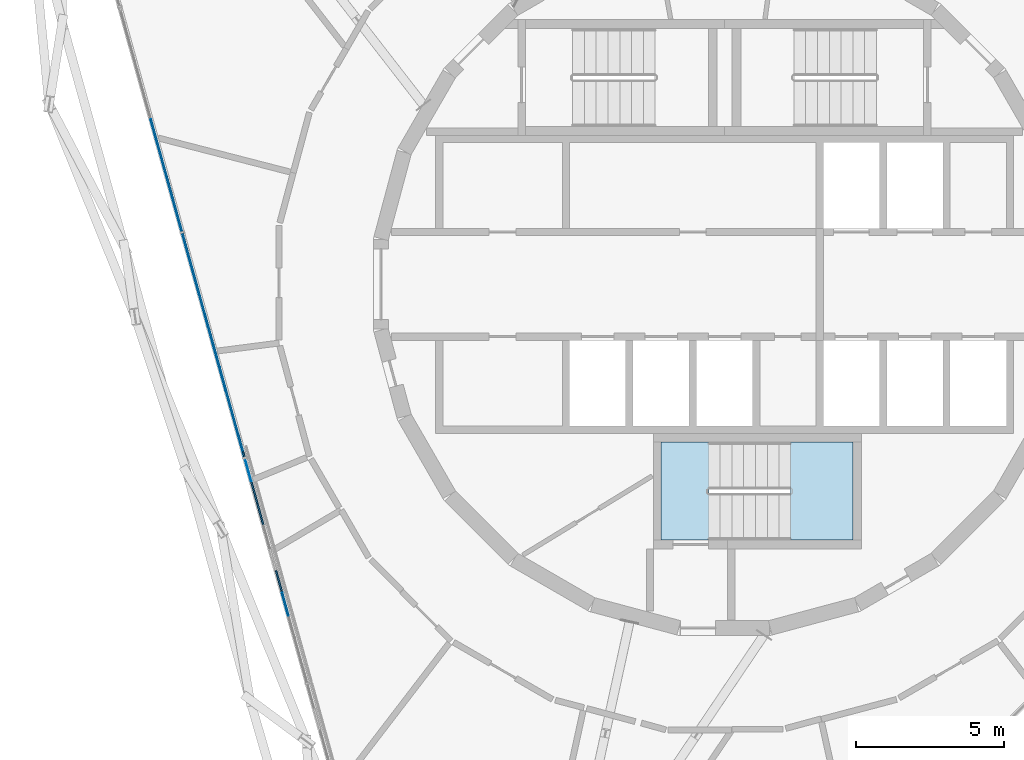
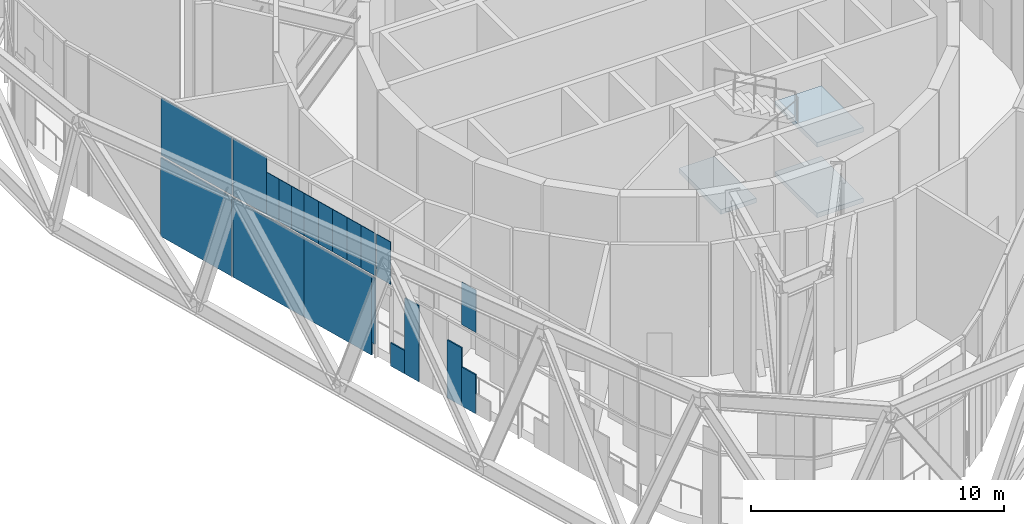
# One storey, part 9 of 23: 20 plates, 3 slabs, 2 elements without a shape of their own.
"""IFC4 building model written with IfcOpenShell, lengths in metres."""

from ifc_helpers import new_model, si_unit, direction, frame, origin, origin_2d, place, context, subcontext, project, spatial, polyline, rectangle, outline, extrude, material, layer, layer_set, type_object, element, aggregate, save


model = new_model("IFC4")

# Units and contexts
model_context = context("Model", 3, precision=1e-05, world=origin(), true_north=direction((0.0, 1.0)))
body_context = subcontext(model_context, "Body", "Model", "MODEL_VIEW")
ifc_project = project(units=[si_unit("LENGTHUNIT", "METRE"), si_unit("AREAUNIT", "SQUARE_METRE"), si_unit("VOLUMEUNIT", "CUBIC_METRE"), si_unit("PLANEANGLEUNIT", "RADIAN"), si_unit("MASSUNIT", "GRAM", prefix="KILO")], contexts=[model_context])

# Site, building, storey
site_placement = place(None, origin())
site = spatial("IfcSite", under=ifc_project, at=site_placement, CompositionType="ELEMENT")
building_placement = place(site_placement, origin())
building = spatial("IfcBuilding", under=site, at=building_placement, Name="Spindle Arch Residences", CompositionType="ELEMENT")
storey_placement = place(building_placement, frame((0.0, 0.0, 326.199951171875)))
storey = spatial("IfcBuildingStorey", under=building, at=storey_placement, Name="L84", CompositionType="ELEMENT", Elevation=326.199951171875)

# Stair, slabs
ifc_material_1 = material(Name="Concrete C50/60", Category="concrete")
stair_type = type_object("IfcStairType", Name="Exit stair 32 risers", PredefinedType="HALF_TURN_STAIR", material=ifc_material_1)
stair_placement = place(storey_placement, origin())
stair = element("IfcStair", 1, at=stair_placement, inside=storey, type_object=stair_type, Name="L84 Exit stair ST3", PredefinedType="HALF_TURN_STAIR")
ifc_material_2 = material(Name="Concrete C50/60", Category="concrete")
ifc_layer_1 = layer(ifc_material_2, 0.219970703125)
ifc_layer_set_1 = layer_set([ifc_layer_1], Name="Exit stair landing 220")
slab_type = type_object("IfcSlabType", Name="Exit stair landing 220", PredefinedType="LANDING", material=ifc_layer_set_1)
slab_1_placement = place(storey_placement, frame((0.0, 0.0, 1.47998046875)))
slab_1 = element("IfcSlab", 2, at=slab_1_placement, type_object=slab_type, Name="ST3 landing 1", PredefinedType="LANDING", context=body_context, shape_type="SweptSolid", body=[
    extrude(outline(polyline([(2.22998046875, -8.669921875), (4.35009765625, -8.669921875), (4.35009765625, -5.35009765625), (2.22998046875, -5.35009765625), (2.22998046875, -8.669921875)])), origin(), (0.0, 0.0, 1.0), 0.219970703125),
])
slab_2_placement = place(storey_placement, frame((0.0, 0.0, 3.179931640625)))
slab_2 = element("IfcSlab", 3, at=slab_2_placement, type_object=slab_type, Name="ST3 landing 2", PredefinedType="LANDING", context=body_context, shape_type="SweptSolid", body=[
    extrude(outline(polyline([(-2.14990234375, -8.669921875), (-0.530029296875, -8.669921875), (-0.530029296875, -5.35009765625), (-2.14990234375, -5.35009765625), (-2.14990234375, -8.669921875)])), origin(), (0.0, 0.0, 1.0), 0.22021484375),
])
slab_3_placement = place(storey_placement, frame((0.0, 0.0, 4.880126953125)))
slab_3 = element("IfcSlab", 4, at=slab_3_placement, type_object=slab_type, Name="ST3 landing 3", PredefinedType="LANDING", context=body_context, shape_type="SweptSolid", body=[
    extrude(outline(polyline([(2.22998046875, -8.669921875), (4.35009765625, -8.669921875), (4.35009765625, -5.35009765625), (2.22998046875, -5.35009765625), (2.22998046875, -8.669921875)])), origin(), (0.0, 0.0, 1.0), 0.219970703125),
])
aggregate(stair, [slab_1, slab_2, slab_3])

# Curtain wall, plates
ifc_material_3 = material(Name="Aluminium bronze unitised frame with tinted glass", Category="aluminium")
ifc_layer_2 = layer(ifc_material_3, 0.159912109375)
ifc_layer_set_2 = layer_set([ifc_layer_2], Name="CW-E double-height winter garden wall")
curtain_wall_type = type_object("IfcCurtainWallType", Name="CW-E double-height winter garden wall", PredefinedType="NOTDEFINED", material=ifc_layer_set_2)
curtain_wall_placement = place(storey_placement, origin())
curtain_wall = element("IfcCurtainWall", 5, at=curtain_wall_placement, inside=storey, type_object=curtain_wall_type, Name="CW-E L84 run 4", PredefinedType="NOTDEFINED")
ifc_material_4 = material(Name="Tinted laminated glass 28 mm", Category="glass")
ifc_layer_3 = layer(ifc_material_4, 0.028076171875)
ifc_layer_set_3 = layer_set([ifc_layer_3], Name="Tinted glass panel 28 mm")
plate_type_1 = type_object("IfcPlateType", Name="Tinted glass panel 28 mm", PredefinedType="CURTAIN_PANEL", material=ifc_layer_set_3)
plate_1_placement = place(storey_placement, frame((-18.918701171875, 3.689697265625, 3.4599609375), z_axis=(0.0, 0.0, 1.0), x_axis=(0.267238376078, -0.963630453209, 0.0)))
plate_1 = element("IfcPlate", 6, at=plate_1_placement, type_object=plate_type_1, Name="CW-E unit 11Bb", PredefinedType="CURTAIN_PANEL", context=body_context, shape_type="SweptSolid", body=[
    extrude(rectangle(XDim=3.9375, YDim=0.028076171875, at=origin_2d()), origin(), (0.0, 0.0, 1.0), 2.77001953125),
])
plate_2_placement = place(storey_placement, frame((-18.128173828125, 0.838623046875, 3.4599609375), z_axis=(0.0, 0.0, 1.0), x_axis=(0.267238376078, -0.963630453209, 0.0)))
plate_2 = element("IfcPlate", 7, at=plate_2_placement, type_object=plate_type_1, Name="CW-E panel 12Ab.1", PredefinedType="CURTAIN_PANEL", context=body_context, shape_type="SweptSolid", body=[
    extrude(rectangle(XDim=1.85986328125, YDim=0.028076171875, at=origin_2d()), origin(), (0.0, 0.0, 1.0), 2.77001953125),
])
plate_3_placement = place(storey_placement, frame((-17.787109375, -0.39111328125, 3.460205078125), z_axis=(0.0, 0.0, 1.0), x_axis=(0.267238376078, -0.963630453209, 0.0)))
plate_3 = element("IfcPlate", 8, at=plate_3_placement, type_object=plate_type_1, Name="CW-E panel 12Ab.2", PredefinedType="CURTAIN_PANEL", context=body_context, shape_type="SweptSolid", body=[
    extrude(rectangle(XDim=0.692626953125, YDim=0.028076171875, at=origin_2d()), origin(), (0.0, 0.0, 1.0), 2.0458984375),
])
plate_4_placement = place(storey_placement, frame((-17.601806640625, -1.05859375, 3.460205078125), z_axis=(0.0, 0.0, 1.0), x_axis=(0.267238376078, -0.963630453209, 0.0)))
plate_4 = element("IfcPlate", 9, at=plate_4_placement, type_object=plate_type_1, Name="CW-E panel 12Ab.3", PredefinedType="CURTAIN_PANEL", context=body_context, shape_type="SweptSolid", body=[
    extrude(rectangle(XDim=0.692626953125, YDim=0.028076171875, at=origin_2d()), origin(), (0.0, 0.0, 1.0), 2.0458984375),
])
plate_5_placement = place(storey_placement, frame((-17.416748046875, -1.725830078125, 3.460205078125), z_axis=(0.0, 0.0, 1.0), x_axis=(0.267238376078, -0.963630453209, 0.0)))
plate_5 = element("IfcPlate", 10, at=plate_5_placement, type_object=plate_type_1, Name="CW-E panel 12Ab.4", PredefinedType="CURTAIN_PANEL", context=body_context, shape_type="SweptSolid", body=[
    extrude(rectangle(XDim=0.692626953125, YDim=0.028076171875, at=origin_2d()), origin(), (0.0, 0.0, 1.0), 2.0458984375),
])
plate_6_placement = place(storey_placement, frame((-17.218994140625, -2.43896484375, 3.460205078125), z_axis=(0.0, 0.0, 1.0), x_axis=(0.267238376078, -0.963630453209, 0.0)))
plate_6 = element("IfcPlate", 11, at=plate_6_placement, type_object=plate_type_1, Name="CW-E panel 12Bb.1", PredefinedType="CURTAIN_PANEL", context=body_context, shape_type="SweptSolid", body=[
    extrude(rectangle(XDim=0.78759765625, YDim=0.028076171875, at=origin_2d()), origin(), (0.0, 0.0, 1.0), 2.0458984375),
])
plate_7_placement = place(storey_placement, frame((-17.008544921875, -3.197998046875, 3.460205078125), z_axis=(0.0, 0.0, 1.0), x_axis=(0.267238376078, -0.963630453209, 0.0)))
plate_7 = element("IfcPlate", 12, at=plate_7_placement, type_object=plate_type_1, Name="CW-E panel 12Bb.2", PredefinedType="CURTAIN_PANEL", context=body_context, shape_type="SweptSolid", body=[
    extrude(rectangle(XDim=0.78759765625, YDim=0.028076171875, at=origin_2d()), origin(), (0.0, 0.0, 1.0), 2.0458984375),
])
plate_8_placement = place(storey_placement, frame((-16.798095703125, -3.956787109375, 3.460205078125), z_axis=(0.0, 0.0, 1.0), x_axis=(0.267238376078, -0.963630453209, 0.0)))
plate_8 = element("IfcPlate", 13, at=plate_8_placement, type_object=plate_type_1, Name="CW-E panel 12Bb.3", PredefinedType="CURTAIN_PANEL", context=body_context, shape_type="SweptSolid", body=[
    extrude(rectangle(XDim=0.78759765625, YDim=0.028076171875, at=origin_2d()), origin(), (0.0, 0.0, 1.0), 2.0458984375),
])
plate_9_placement = place(storey_placement, frame((-16.587646484375, -4.715576171875, 3.460205078125), z_axis=(0.0, 0.0, 1.0), x_axis=(0.267238376078, -0.963630453209, 0.0)))
plate_9 = element("IfcPlate", 14, at=plate_9_placement, type_object=plate_type_1, Name="CW-E panel 12Bb.4", PredefinedType="CURTAIN_PANEL", context=body_context, shape_type="SweptSolid", body=[
    extrude(rectangle(XDim=0.78759765625, YDim=0.028076171875, at=origin_2d()), origin(), (0.0, 0.0, 1.0), 2.0458984375),
])
plate_10_placement = place(storey_placement, frame((-16.377197265625, -5.474609375, 3.460205078125), z_axis=(0.0, 0.0, 1.0), x_axis=(0.267238376078, -0.963630453209, 0.0)))
plate_10 = element("IfcPlate", 15, at=plate_10_placement, type_object=plate_type_1, Name="CW-E panel 12Bb.5", PredefinedType="CURTAIN_PANEL", context=body_context, shape_type="SweptSolid", body=[
    extrude(rectangle(XDim=0.78759765625, YDim=0.028076171875, at=origin_2d()), origin(), (0.0, 0.0, 1.0), 2.0458984375),
])
plate_11_placement = place(storey_placement, frame((-16.15087890625, -6.291259765625, 3.460205078125), z_axis=(0.0, 0.0, 1.0), x_axis=(0.267238376078, -0.963630453209, 0.0)))
plate_11 = element("IfcPlate", 16, at=plate_11_placement, type_object=plate_type_1, Name="CW-E panel 13Ab.1", PredefinedType="CURTAIN_PANEL", context=body_context, shape_type="SweptSolid", body=[
    extrude(rectangle(XDim=0.78759765625, YDim=0.028076171875, at=origin_2d()), origin(), (0.0, 0.0, 1.0), 2.0458984375),
])
plate_12_placement = place(storey_placement, frame((-14.887939453125, -10.844482421875, 3.460205078125), z_axis=(0.0, 0.0, 1.0), x_axis=(0.267238376078, -0.963630453209, 0.0)))
plate_12 = element("IfcPlate", 17, at=plate_12_placement, type_object=plate_type_1, Name="CW-E panel 13Bb.1", PredefinedType="CURTAIN_PANEL", context=body_context, shape_type="SweptSolid", body=[
    extrude(rectangle(XDim=0.78759765625, YDim=0.028076171875, at=origin_2d()), origin(), (0.0, 0.0, 1.0), 2.0458984375),
])
ifc_material_5 = material(Name="Tinted double glazing over aluminium faced non-combustible spandrel zone (K0)", Category="aluminium")
ifc_layer_4 = layer(ifc_material_5, 0.06005859375)
ifc_layer_set_4 = layer_set([ifc_layer_4], Name="Unitised glass panel with E 60 spandrel zone")
plate_type_2 = type_object("IfcPlateType", Name="Unitised glass panel with E 60 spandrel zone", PredefinedType="CURTAIN_PANEL", material=ifc_layer_set_4)
plate_13_placement = place(storey_placement, frame((-18.918701171875, 3.689697265625, -0.449951171875), z_axis=(0.0, 0.0, 1.0), x_axis=(0.267238376078, -0.963630453209, 0.0)))
plate_13 = element("IfcPlate", 18, at=plate_13_placement, type_object=plate_type_2, Name="CW-E unit 11Ba", PredefinedType="CURTAIN_PANEL", context=body_context, shape_type="SweptSolid", body=[
    extrude(rectangle(XDim=3.9375, YDim=0.06005859375, at=origin_2d()), origin(), (0.0, 0.0, 1.0), 3.7900390625),
])
plate_14_placement = place(storey_placement, frame((-17.850341796875, -0.162353515625, -0.449951171875), z_axis=(0.0, 0.0, 1.0), x_axis=(0.267238376078, -0.963630453209, 0.0)))
plate_14 = element("IfcPlate", 19, at=plate_14_placement, type_object=plate_type_2, Name="CW-E unit 12Aa", PredefinedType="CURTAIN_PANEL", context=body_context, shape_type="SweptSolid", body=[
    extrude(rectangle(XDim=3.9375, YDim=0.06005859375, at=origin_2d()), origin(), (0.0, 0.0, 1.0), 3.7900390625),
])
plate_15_placement = place(storey_placement, frame((-16.823486328125, -3.865478515625, -0.449951171875), z_axis=(0.0, 0.0, 1.0), x_axis=(0.267238376078, -0.963630453209, 0.0)))
plate_15 = element("IfcPlate", 20, at=plate_15_placement, type_object=plate_type_2, Name="CW-E panel 12Ba.1", PredefinedType="CURTAIN_PANEL", context=body_context, shape_type="SweptSolid", body=[
    extrude(rectangle(XDim=3.748291015625, YDim=0.06005859375, at=origin_2d()), origin(), (0.0, 0.0, 1.0), 3.7900390625),
])
plate_16_placement = place(storey_placement, frame((-16.29736328125, -5.7626953125, 0.1611328125), z_axis=(0.0, 0.0, 1.0), x_axis=(0.267238376078, -0.963630453209, 0.0)))
plate_16 = element("IfcPlate", 21, at=plate_16_placement, type_object=plate_type_2, Name="CW-E panel 12Ba.2", PredefinedType="CURTAIN_PANEL", context=body_context, shape_type="SweptSolid", body=[
    extrude(rectangle(XDim=0.189208984375, YDim=0.06005859375, at=origin_2d()), origin(), (0.0, 0.0, 1.0), 3.178955078125),
])
plate_17_placement = place(storey_placement, frame((-15.9404296875, -7.050048828125, -0.44970703125), z_axis=(0.0, 0.0, 1.0), x_axis=(0.267238376078, -0.963630453209, 0.0)))
plate_17 = element("IfcPlate", 22, at=plate_17_placement, type_object=plate_type_2, Name="CW-E panel 13Aa.2", PredefinedType="CURTAIN_PANEL", context=body_context, shape_type="SweptSolid", body=[
    extrude(rectangle(XDim=0.78759765625, YDim=0.06005859375, at=origin_2d()), origin(), (0.0, 0.0, 1.0), 1.115966796875),
])
plate_18_placement = place(storey_placement, frame((-15.72998046875, -7.808837890625, -0.449951171875), z_axis=(0.0, 0.0, 1.0), x_axis=(0.267238376078, -0.963630453209, 0.0)))
plate_18 = element("IfcPlate", 23, at=plate_18_placement, type_object=plate_type_2, Name="CW-E panel 13Aa.3", PredefinedType="CURTAIN_PANEL", context=body_context, shape_type="SweptSolid", body=[
    extrude(rectangle(XDim=0.78759765625, YDim=0.06005859375, at=origin_2d()), origin(), (0.0, 0.0, 1.0), 3.6572265625),
])
plate_19_placement = place(storey_placement, frame((-15.0986328125, -10.08544921875, -0.449951171875), z_axis=(0.0, 0.0, 1.0), x_axis=(0.267238376078, -0.963630453209, 0.0)))
plate_19 = element("IfcPlate", 24, at=plate_19_placement, type_object=plate_type_2, Name="CW-E panel 13Ba.1", PredefinedType="CURTAIN_PANEL", context=body_context, shape_type="SweptSolid", body=[
    extrude(rectangle(XDim=0.78759765625, YDim=0.06005859375, at=origin_2d()), origin(), (0.0, 0.0, 1.0), 2.79638671875),
])
plate_20_placement = place(storey_placement, frame((-14.887939453125, -10.844482421875, -0.4501953125), z_axis=(0.0, 0.0, 1.0), x_axis=(0.267238376078, -0.963630453209, 0.0)))
plate_20 = element("IfcPlate", 25, at=plate_20_placement, type_object=plate_type_2, Name="CW-E panel 13Ba.2", PredefinedType="CURTAIN_PANEL", context=body_context, shape_type="SweptSolid", body=[
    extrude(rectangle(XDim=0.78759765625, YDim=0.06005859375, at=origin_2d()), origin(), (0.0, 0.0, 1.0), 1.877685546875),
])
aggregate(curtain_wall, [plate_13, plate_1, plate_14, plate_2, plate_3, plate_4, plate_5, plate_15, plate_16, plate_6, plate_7, plate_8, plate_9, plate_10, plate_17, plate_18, plate_11, plate_19, plate_20, plate_12])

save(model, "model.ifc")
